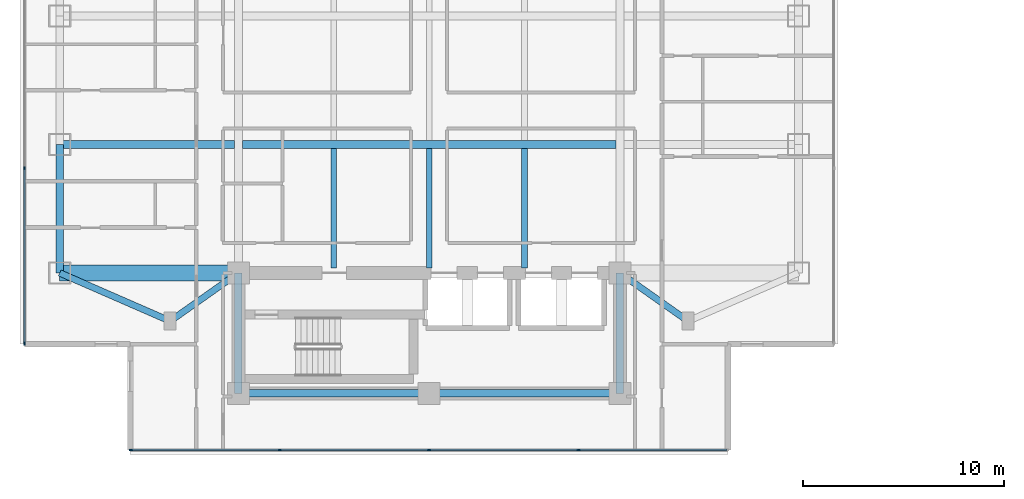
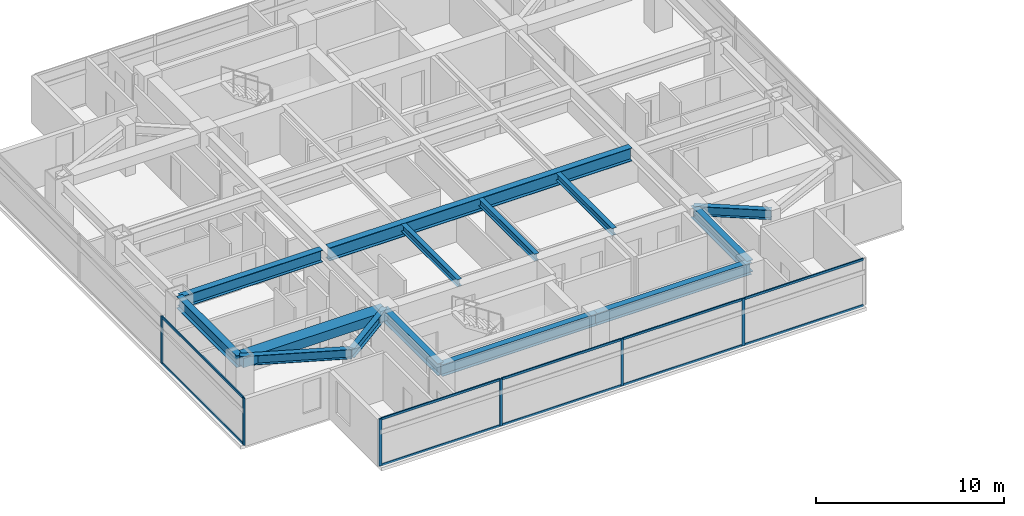
# One storey, part 2 of 26: 16 members, 14 beams, 2 elements without a shape of their own.
"""IFC4 building model written with IfcOpenShell, lengths in metres."""

import ifcopenshell
import ifcopenshell.guid

model = None  # the IFC model being written
_history = None  # IfcOwnerHistory: only IFC2X3 demands one
_inside = {}  # id of a spatial element -> (the spatial element, [elements in it])
_under = {}  # id of a project, library or spatial element -> (it, [spatial elements below it])
_declared = {}  # id of a project -> (the project, [libraries it declares])
_typed = {}  # id of a type object -> (the type object, [elements of that type])
_made_of = {}  # id of a material, layer set ... -> (it, [elements and type objects made of it])


def new_model(schema):
    """Start an empty IFC model of exactly this schema.

    Asked for "IFC4X3", IfcOpenShell would pick the latest addendum, in which some entities
    have other attributes; the version numbers below select the first issue.
    IFC2X3 requires an IfcOwnerHistory on every rooted entity: one is made here for all.
    """
    global model, _history
    if schema == "IFC4X3":
        model = ifcopenshell.file(schema_version=(4, 3, 0, 0))
    else:
        model = ifcopenshell.file(schema=schema)
    _inside.clear()
    _under.clear()
    _declared.clear()
    _typed.clear()
    _made_of.clear()
    _history = None
    if model.schema == "IFC2X3":
        org = make("IfcOrganization", Name="unknown")
        user = make(
            "IfcPersonAndOrganization",
            ThePerson=make("IfcPerson", FamilyName="unknown"),
            TheOrganization=org,
        )
        app = make(
            "IfcApplication",
            ApplicationDeveloper=org,
            Version="unknown",
            ApplicationFullName="unknown",
            ApplicationIdentifier="unknown",
        )
        _history = make(
            "IfcOwnerHistory",
            OwningUser=user,
            OwningApplication=app,
            ChangeAction="ADDED",
            CreationDate=0,
        )
    return model


def make(cls, **values):
    """One entity of the class cls with the attributes given. An attribute that is None is left unset."""
    return model.create_entity(
        cls, **{name: value for name, value in values.items() if value is not None}
    )


def rooted(cls, **values):
    """An entity with a GlobalId (a new one), such as an element, a storey or a relation."""
    return make(cls, GlobalId=ifcopenshell.guid.new(), OwnerHistory=_history, **values)


def si_unit(unit_type, name, prefix=None):
    """IfcSIUnit, for example si_unit("LENGTHUNIT", "METRE", prefix="MILLI")."""
    return make("IfcSIUnit", UnitType=unit_type, Prefix=prefix, Name=name)


def assignment(units):
    """IfcUnitAssignment: the units of a project."""
    return None if units is None else make("IfcUnitAssignment", Units=units)


def point(xyz):
    """IfcCartesianPoint."""
    return None if xyz is None else make("IfcCartesianPoint", Coordinates=xyz)


def direction(xyz):
    """IfcDirection."""
    return None if xyz is None else make("IfcDirection", DirectionRatios=xyz)


def frame(location, z_axis=None, x_axis=None):
    """IfcAxis2Placement3D, a coordinate frame: its origin and axes. An axis left out is left unset."""
    return make(
        "IfcAxis2Placement3D",
        Location=point(location),
        Axis=direction(z_axis),
        RefDirection=direction(x_axis),
    )


def frame_2d(location, x_axis=None):
    """IfcAxis2Placement2D, a coordinate frame in the plane: its origin and x axis."""
    return make(
        "IfcAxis2Placement2D", Location=point(location), RefDirection=direction(x_axis)
    )


def origin():
    """The frame at (0, 0, 0) with its axes left unset."""
    return frame((0.0, 0.0, 0.0))


def origin_2d():
    """The frame at (0, 0) in the plane with its x axis left unset."""
    return frame_2d((0.0, 0.0))


def place(relative_to, where):
    """IfcLocalPlacement: puts the frame where relative to a parent placement (None: the world)."""
    return make(
        "IfcLocalPlacement", PlacementRelTo=relative_to, RelativePlacement=where
    )


def context(
    kind, dimensions, precision=None, world=None, true_north=None, identifier=None
):
    """IfcGeometricRepresentationContext, for example the 3D "Model" context."""
    return make(
        "IfcGeometricRepresentationContext",
        ContextIdentifier=identifier,
        ContextType=kind,
        CoordinateSpaceDimension=dimensions,
        Precision=precision,
        WorldCoordinateSystem=world,
        TrueNorth=true_north,
    )


def subcontext(parent, identifier, kind, view, scale=None):
    """IfcGeometricRepresentationSubContext, for example "Body" below "Model"."""
    return make(
        "IfcGeometricRepresentationSubContext",
        ContextIdentifier=identifier,
        ContextType=kind,
        ParentContext=parent,
        TargetScale=scale,
        TargetView=view,
    )


def project(units=None, contexts=None):
    """IfcProject with its units and contexts."""
    return rooted(
        "IfcProject",
        Name="project",
        RepresentationContexts=contexts,
        UnitsInContext=assignment(units),
    )


def spatial(cls, under=None, at=None, **own):
    """A site, building, storey or space (cls), placed at a placement, below another one or the project."""
    s = rooted(cls, ObjectPlacement=at, **own)
    if under is not None:
        _under.setdefault(under.id(), (under, []))[1].append(s)
    return s


def profile(cls, at=None, kind="AREA", **sizes):
    """A parametric profile (cls). Its sizes go by their IFC names, for example OverallWidth=200.0."""
    return make(cls, ProfileType=kind, Position=at, **sizes)


def rectangle(**sizes):
    """IfcRectangleProfileDef."""
    return profile("IfcRectangleProfileDef", **sizes)


def i_section(**sizes):
    """IfcIShapeProfileDef."""
    return profile("IfcIShapeProfileDef", **sizes)


def extrude(swept, where, along, depth):
    """IfcExtrudedAreaSolid: the profile swept, set in the frame where, extruded along a direction by depth."""
    return make(
        "IfcExtrudedAreaSolid",
        SweptArea=swept,
        Position=where,
        ExtrudedDirection=direction(along),
        Depth=depth,
    )


def shape(context_of_items, identifier, shape_type, items):
    """IfcShapeRepresentation: the items that make up one representation, for example the "Body"."""
    return make(
        "IfcShapeRepresentation",
        ContextOfItems=context_of_items,
        RepresentationIdentifier=identifier,
        RepresentationType=shape_type,
        Items=items,
    )


def material(Name=None, Category=None):
    """IfcMaterial."""
    return make("IfcMaterial", Name=Name, Category=Category)


def material_profile(
    of_material, cross_section, Name=None, Category=None, Priority=None
):
    """IfcMaterialProfile: a cross section and its material."""
    return make(
        "IfcMaterialProfile",
        Name=Name,
        Material=of_material,
        Profile=cross_section,
        Priority=Priority,
        Category=Category,
    )


def profile_set(profiles, Name=None, composite=None):
    """IfcMaterialProfileSet."""
    return make(
        "IfcMaterialProfileSet",
        Name=Name,
        MaterialProfiles=profiles,
        CompositeProfile=composite,
    )


def made_of(thing, what):
    """Note that an element or type object is made of a material, layer set ...; save() writes the relation."""
    if what is not None:
        _made_of.setdefault(what.id(), (what, []))[1].append(thing)
    return thing


def type_object(cls, material=None, **own):
    """A type object (cls), such as IfcWallType, which elements share."""
    return made_of(rooted(cls, **own), material)


def element(
    cls,
    number,
    at=None,
    inside=None,
    cuts=None,
    type_object=None,
    material=None,
    context=None,
    identifier="Body",
    shape_type=None,
    held_by="IfcProductDefinitionShape",
    body=None,
    shapes=None,
    **own,
):
    """One element of the class cls, such as IfcWall. Its Tag is "e" and its number.

    at: its placement. inside: the storey or other place that contains it. cuts: it is an
    opening in that element (IfcRelVoidsElement). A single representation is given by context,
    identifier, shape_type and body (its items); several are given by shapes. held_by: the class
    of the entity that holds the representations. save() writes the other relations.
    """
    e = rooted(cls, Tag="e%d" % number, ObjectPlacement=at, **own)
    if body is not None:
        shapes = [shape(context, identifier, shape_type, body)]
    if shapes is not None:
        e.Representation = make(held_by, Representations=shapes)
    if inside is not None:
        _inside.setdefault(inside.id(), (inside, []))[1].append(e)
    if cuts is not None:
        rooted(
            "IfcRelVoidsElement", RelatingBuildingElement=cuts, RelatedOpeningElement=e
        )
    if type_object is not None:
        _typed.setdefault(type_object.id(), (type_object, []))[1].append(e)
    return made_of(e, material)


def aggregate(whole, parts):
    """IfcRelAggregates: a whole, such as a stair, and the parts it consists of."""
    return rooted("IfcRelAggregates", RelatingObject=whole, RelatedObjects=parts)


def save(model, path):
    """Write the relations noted so far, then the file.

    IfcRelAggregates (storeys below a building ...), IfcRelContainedInSpatialStructure (elements
    in a storey), IfcRelDefinesByType, IfcRelAssociatesMaterial and IfcRelDeclares: one each for
    every whole, place, type object, material and project.
    """
    for whole, parts in _under.values():
        aggregate(whole, parts)
    for where, things in _inside.values():
        rooted(
            "IfcRelContainedInSpatialStructure",
            RelatedElements=things,
            RelatingStructure=where,
        )
    for kind, things in _typed.values():
        rooted("IfcRelDefinesByType", RelatedObjects=things, RelatingType=kind)
    for what, things in _made_of.values():
        rooted("IfcRelAssociatesMaterial", RelatedObjects=things, RelatingMaterial=what)
    for by, libraries in _declared.values():
        rooted("IfcRelDeclares", RelatingContext=by, RelatedDefinitions=libraries)
    model.write(path)


model = new_model("IFC4")

# Units and contexts
model_context = context("Model", 3, precision=1e-05, world=origin(), true_north=direction((0.0, 1.0)))
body_context = subcontext(model_context, "Body", "Model", "MODEL_VIEW")
ifc_project = project(units=[si_unit("LENGTHUNIT", "METRE"), si_unit("AREAUNIT", "SQUARE_METRE"), si_unit("VOLUMEUNIT", "CUBIC_METRE"), si_unit("PLANEANGLEUNIT", "RADIAN"), si_unit("MASSUNIT", "GRAM", prefix="KILO")], contexts=[model_context])

# Site, building, storey
site_placement = place(None, origin())
site = spatial("IfcSite", under=ifc_project, at=site_placement, CompositionType="ELEMENT")
building_placement = place(site_placement, origin())
building = spatial("IfcBuilding", under=site, at=building_placement, Name="Mirazonda Arch Towers", CompositionType="ELEMENT")
storey_placement = place(building_placement, frame((0.0, 0.0, 121.39990234375)))
storey = spatial("IfcBuildingStorey", under=building, at=storey_placement, Name="L34", CompositionType="ELEMENT", Elevation=121.39990234375)

# Beams
ifc_material_1 = material(Name="Steel ASTM A992 Grade 50", Category="steel")
ifc_material_profile_1 = material_profile(ifc_material_1, i_section(OverallWidth=0.381103515625, OverallDepth=0.77294921875, WebThickness=0.0166015625, FlangeThickness=0.027099609375, at=origin_2d()), Name="W30X173")
ifc_profile_set_1 = profile_set([ifc_material_profile_1], Name="Steel ASTM A992 Grade 50")
beam_type_1 = type_object("IfcBeamType", Name="BM-EXT-W30X173", PredefinedType="USERDEFINED", material=ifc_profile_set_1)
beam_1_placement = place(storey_placement, frame((2.10009765625, 18.39990234375, 2.693603515625), z_axis=(0.0, 1.0, 0.0), x_axis=(-1.0, 0.0, 0.0)))
element("IfcBeam", 1, at=beam_1_placement, inside=storey, type_object=beam_type_1, Name="L34 Floor Beam BM-T1-L34-NS-W-18", ObjectType="GIRDER", PredefinedType="USERDEFINED", context=body_context, shape_type="SweptSolid", body=[
    extrude(i_section(OverallWidth=0.381103515625, OverallDepth=0.77294921875, WebThickness=0.0166015625, FlangeThickness=0.027099609375, at=origin_2d()), origin(), (0.0, 0.0, 1.0), 6.400146484375),
])
ifc_material_profile_2 = material_profile(ifc_material_1, i_section(OverallWidth=0.280029296875, OverallDepth=0.462890625, WebThickness=0.0107421875, FlangeThickness=0.017333984375, at=origin_2d()), Name="W18X76")
ifc_profile_set_2 = profile_set([ifc_material_profile_2], Name="Steel ASTM A992 Grade 50")
beam_type_2 = type_object("IfcBeamType", Name="BM-INT-W18X76", PredefinedType="JOIST", material=ifc_profile_set_2)
for number, where, z_axis, x_axis, name in (
    (2, (15.75, 18.639892578125, 2.8486328125), (0.0, 1.0, 0.0), (-1.0, 0.0, 0.0), "L34 Floor Beam BM-T1-L34-J-157-18"),
    (3, (20.5, 18.639892578125, 2.8486328125), (0.0, 1.0, 0.0), (-1.0, 0.0, 0.0), "L34 Floor Beam BM-T1-L34-J-205-18"),
    (4, (25.25, 18.639892578125, 2.8486328125), (0.0, 1.0, 0.0), (-1.0, 0.0, 0.0), "L34 Floor Beam BM-T1-L34-J-252-18"),
):
    element("IfcBeam", number, at=place(storey_placement, frame(where, z_axis=z_axis, x_axis=x_axis)), inside=storey, type_object=beam_type_2, Name=name, PredefinedType="JOIST", context=body_context, shape_type="SweptSolid", body=[
        extrude(i_section(OverallWidth=0.280029296875, OverallDepth=0.462890625, WebThickness=0.0107421875, FlangeThickness=0.017333984375, at=origin_2d()), origin(), (0.0, 0.0, 1.0), 5.964111328125),
    ])
ifc_material_profile_3 = material_profile(ifc_material_1, i_section(OverallWidth=0.324951171875, OverallDepth=0.615966796875, WebThickness=0.013916015625, FlangeThickness=0.021484375, at=origin_2d()), Name="W24X117")
ifc_profile_set_3 = profile_set([ifc_material_profile_3], Name="Steel ASTM A992 Grade 50")
beam_type_3 = type_object("IfcBeamType", Name="BM-INT-W24X117", PredefinedType="BEAM", material=ifc_profile_set_3)
beam_2_placement = place(storey_placement, frame((7.60009765625, 16.0, 2.772216796875), z_axis=(0.816971114901, 0.576678591087, 0.0), x_axis=(-0.576678591087, 0.816971114901, 0.0)))
element("IfcBeam", 5, at=beam_2_placement, inside=storey, type_object=beam_type_3, Name="L34 Floor Beam BM-T1-L34-PL-SW1", PredefinedType="BEAM", context=body_context, shape_type="SweptSolid", body=[
    extrude(i_section(OverallWidth=0.324951171875, OverallDepth=0.615966796875, WebThickness=0.013916015625, FlangeThickness=0.021484375, at=origin_2d()), origin(), (0.0, 0.0, 1.0), 4.16162109375),
])
beam_3_placement = place(storey_placement, frame((7.60009765625, 16.0, 2.772216796875), z_axis=(-0.916545343703, 0.399930785183, 0.0), x_axis=(-0.399930785183, -0.916545343703, 0.0)))
element("IfcBeam", 6, at=beam_3_placement, inside=storey, type_object=beam_type_3, Name="L34 Floor Beam BM-T1-L34-PL-SW2", PredefinedType="BEAM", context=body_context, shape_type="SweptSolid", body=[
    extrude(i_section(OverallWidth=0.324951171875, OverallDepth=0.615966796875, WebThickness=0.013916015625, FlangeThickness=0.021484375, at=origin_2d()), origin(), (0.0, 0.0, 1.0), 6.000732421875),
])
beam_4_placement = place(storey_placement, frame((33.39990234375, 16.0, 2.772216796875), z_axis=(-0.816971114901, 0.576678591087, 0.0), x_axis=(-0.576678591087, -0.816971114901, 0.0)))
element("IfcBeam", 7, at=beam_4_placement, inside=storey, type_object=beam_type_3, Name="L34 Floor Beam BM-T1-L34-PL-SE1", PredefinedType="BEAM", context=body_context, shape_type="SweptSolid", body=[
    extrude(i_section(OverallWidth=0.324951171875, OverallDepth=0.615966796875, WebThickness=0.013916015625, FlangeThickness=0.021484375, at=origin_2d()), origin(), (0.0, 0.0, 1.0), 4.16162109375),
])
ifc_material_profile_4 = material_profile(ifc_material_1, i_section(OverallWidth=0.381103515625, OverallDepth=0.77294921875, WebThickness=0.0166015625, FlangeThickness=0.027099609375, at=origin_2d()), Name="W30X173")
ifc_profile_set_4 = profile_set([ifc_material_profile_4], Name="Steel ASTM A992 Grade 50")
beam_type_4 = type_object("IfcBeamType", Name="BM-INT-W30X173", PredefinedType="USERDEFINED", material=ifc_profile_set_4)
beam_5_placement = place(storey_placement, frame((2.10009765625, 24.800048828125, 2.693603515625), z_axis=(1.0, 0.0, 0.0), x_axis=(0.0, 1.0, 0.0)))
element("IfcBeam", 8, at=beam_5_placement, inside=storey, type_object=beam_type_4, Name="L34 Floor Beam BM-T1-L34-GW2", ObjectType="GIRDER", PredefinedType="USERDEFINED", context=body_context, shape_type="SweptSolid", body=[
    extrude(i_section(OverallWidth=0.381103515625, OverallDepth=0.77294921875, WebThickness=0.0166015625, FlangeThickness=0.027099609375, at=origin_2d()), origin(), (0.0, 0.0, 1.0), 8.699951171875),
])
for number, where, z_axis, x_axis, name in (
    (9, (11.0, 12.39990234375, 2.693603515625), (1.0, 0.0, 0.0), (0.0, 1.0, 0.0), "L34 Floor Beam BM-T1-L34-CS1"),
    (10, (20.5, 12.39990234375, 2.693603515625), (1.0, 0.0, 0.0), (0.0, 1.0, 0.0), "L34 Floor Beam BM-T1-L34-CS2"),
):
    element("IfcBeam", number, at=place(storey_placement, frame(where, z_axis=z_axis, x_axis=x_axis)), inside=storey, type_object=beam_type_4, Name=name, ObjectType="GIRDER", PredefinedType="USERDEFINED", context=body_context, shape_type="SweptSolid", body=[
        extrude(i_section(OverallWidth=0.381103515625, OverallDepth=0.77294921875, WebThickness=0.0166015625, FlangeThickness=0.027099609375, at=origin_2d()), origin(), (0.0, 0.0, 1.0), 9.5),
    ])
for number, where, z_axis, x_axis, name in (
    (11, (11.0, 12.39990234375, 2.693603515625), (0.0, 1.0, 0.0), (-1.0, 0.0, 0.0), "L34 Floor Beam BM-T1-L34-CSW"),
    (12, (30.0, 12.39990234375, 2.693603515625), (0.0, 1.0, 0.0), (-1.0, 0.0, 0.0), "L34 Floor Beam BM-T1-L34-CSE"),
):
    element("IfcBeam", number, at=place(storey_placement, frame(where, z_axis=z_axis, x_axis=x_axis)), inside=storey, type_object=beam_type_4, Name=name, ObjectType="GIRDER", PredefinedType="USERDEFINED", context=body_context, shape_type="SweptSolid", body=[
        extrude(i_section(OverallWidth=0.381103515625, OverallDepth=0.77294921875, WebThickness=0.0166015625, FlangeThickness=0.027099609375, at=origin_2d()), origin(), (0.0, 0.0, 1.0), 6.0),
    ])
ifc_material_profile_5 = material_profile(ifc_material_1, i_section(OverallWidth=0.39990234375, OverallDepth=0.85595703125, WebThickness=0.018310546875, FlangeThickness=0.029296875, at=origin_2d()), Name="W33X201")
ifc_profile_set_5 = profile_set([ifc_material_profile_5], Name="Steel ASTM A992 Grade 50")
beam_type_5 = type_object("IfcBeamType", Name="BM-INT-W33X201", PredefinedType="USERDEFINED", material=ifc_profile_set_5)
beam_6_placement = place(storey_placement, frame((11.199951171875, 24.800048828125, 2.652099609375), z_axis=(1.0, 0.0, 0.0), x_axis=(0.0, 1.0, 0.0)))
element("IfcBeam", 13, at=beam_6_placement, inside=storey, type_object=beam_type_5, Name="L34 Floor Beam BM-T1-L34-GC2", ObjectType="GIRDER", PredefinedType="USERDEFINED", context=body_context, shape_type="SweptSolid", body=[
    extrude(i_section(OverallWidth=0.39990234375, OverallDepth=0.85595703125, WebThickness=0.018310546875, FlangeThickness=0.029296875, at=origin_2d()), origin(), (0.0, 0.0, 1.0), 18.60009765625),
])
ifc_material_2 = material(Name="Concrete C60/75", Category="concrete")
ifc_material_profile_6 = material_profile(ifc_material_2, rectangle(XDim=0.800048828125, YDim=0.60009765625, at=origin_2d()), Name="RCCB800x600")
ifc_profile_set_6 = profile_set([ifc_material_profile_6], Name="Concrete C60/75")
beam_type_6 = type_object("IfcBeamType", Name="CB-INT-RCCB800x600", PredefinedType="SPANDREL", material=ifc_profile_set_6)
beam_7_placement = place(storey_placement, frame((2.10009765625, 18.39990234375, 2.780029296875), z_axis=(1.0, 0.0, 0.0), x_axis=(0.0, 1.0, 0.0)))
element("IfcBeam", 14, at=beam_7_placement, inside=storey, type_object=beam_type_6, Name="L34 Floor Beam CBC-T1-L34-SW", PredefinedType="SPANDREL", context=body_context, shape_type="SweptSolid", body=[
    extrude(rectangle(XDim=0.800048828125, YDim=0.60009765625, at=origin_2d()), origin(), (0.0, 0.0, 1.0), 8.89990234375),
])

# Curtain wall, members
ifc_material_3 = material(Name="Anodised Aluminium and Low-E Glass", Category="aluminium")
curtain_wall_type = type_object("IfcCurtainWallType", Name="CW-HTL-UNIT", PredefinedType="NOTDEFINED", material=ifc_material_3)
curtain_wall_1_placement = place(storey_placement, origin())
curtain_wall_1 = element("IfcCurtainWall", 15, at=curtain_wall_1_placement, inside=storey, type_object=curtain_wall_type, Name="L34 T1 S Facade CW-L34-T1-S", PredefinedType="NOTDEFINED")
ifc_material_4 = material(Name="Anodised Aluminium Alloy", Category="aluminium")
ifc_material_profile_7 = material_profile(ifc_material_4, rectangle(XDim=0.074951171875, YDim=0.1650390625, at=origin_2d()), Name="ALU-MULL-75x165")
ifc_profile_set_7 = profile_set([ifc_material_profile_7], Name="Anodised Aluminium Alloy")
member_type_1 = type_object("IfcMemberType", Name="MULL-CW-HTL-UNIT", PredefinedType="MULLION", material=ifc_profile_set_7)
member_1_placement = place(storey_placement, frame((27.945068359375, 9.58203125, 0.0), z_axis=(0.0, 0.0, 1.0), x_axis=(0.0, -1.0, 0.0)))
member_1 = element("IfcMember", 16, at=member_1_placement, type_object=member_type_1, Name="CW-112 mullion 2", PredefinedType="MULLION", context=body_context, shape_type="SweptSolid", body=[
    extrude(rectangle(XDim=0.074951171875, YDim=0.1650390625, at=origin_2d()), origin(), (0.0, 0.0, 1.0), 3.06005859375),
])
member_2_placement = place(storey_placement, frame((20.5, 9.58203125, 0.0), z_axis=(0.0, 0.0, 1.0), x_axis=(0.0, -1.0, 0.0)))
member_2 = element("IfcMember", 17, at=member_2_placement, type_object=member_type_1, Name="CW-112 mullion 3", PredefinedType="MULLION", context=body_context, shape_type="SweptSolid", body=[
    extrude(rectangle(XDim=0.074951171875, YDim=0.1650390625, at=origin_2d()), origin(), (0.0, 0.0, 1.0), 3.06005859375),
])
member_3_placement = place(storey_placement, frame((13.054931640625, 9.58203125, 0.0), z_axis=(0.0, 0.0, 1.0), x_axis=(0.0, -1.0, 0.0)))
member_3 = element("IfcMember", 18, at=member_3_placement, type_object=member_type_1, Name="CW-112 mullion 4", PredefinedType="MULLION", context=body_context, shape_type="SweptSolid", body=[
    extrude(rectangle(XDim=0.074951171875, YDim=0.1650390625, at=origin_2d()), origin(), (0.0, 0.0, 1.0), 3.06005859375),
])
member_4_placement = place(storey_placement, frame((5.6474609375, 9.58203125, 0.0), z_axis=(0.0, 0.0, 1.0), x_axis=(0.0, -1.0, 0.0)))
member_4 = element("IfcMember", 19, at=member_4_placement, type_object=member_type_1, Name="CW-112 mullion 5", PredefinedType="MULLION", context=body_context, shape_type="SweptSolid", body=[
    extrude(rectangle(XDim=0.074951171875, YDim=0.1650390625, at=origin_2d()), origin(), (0.0, 0.0, 1.0), 3.06005859375),
])

curtain_wall_2_placement = place(storey_placement, origin())
curtain_wall_2 = element("IfcCurtainWall", 20, at=curtain_wall_2_placement, inside=storey, type_object=curtain_wall_type, Name="L34 T1 W Facade CW-L34-T1-W", PredefinedType="NOTDEFINED")
member_5_placement = place(storey_placement, frame((0.340087890625, 23.617431640625, 0.0), z_axis=(0.0, 0.0, 1.0), x_axis=(1.0, 0.0, 0.0)))
member_5 = element("IfcMember", 21, at=member_5_placement, type_object=member_type_1, Name="CW-112 mullion 3", PredefinedType="MULLION", context=body_context, shape_type="SweptSolid", body=[
    extrude(rectangle(XDim=0.074951171875, YDim=0.1650390625, at=origin_2d()), origin(), (0.0, 0.0, 1.0), 3.06005859375),
])
member_6_placement = place(storey_placement, frame((0.340087890625, 14.889404296875, 0.0), z_axis=(0.0, 0.0, 1.0), x_axis=(1.0, 0.0, 0.0)))
member_6 = element("IfcMember", 22, at=member_6_placement, type_object=member_type_1, Name="CW-112 mullion 4", PredefinedType="MULLION", context=body_context, shape_type="SweptSolid", body=[
    extrude(rectangle(XDim=0.074951171875, YDim=0.1650390625, at=origin_2d()), origin(), (0.0, 0.0, 1.0), 3.06005859375),
])

# Member
ifc_material_profile_8 = material_profile(ifc_material_4, rectangle(XDim=0.074951171875, YDim=0.14501953125, at=origin_2d()), Name="ALU-TRAN-75x145")
ifc_profile_set_8 = profile_set([ifc_material_profile_8], Name="Anodised Aluminium Alloy")
member_type_2 = type_object("IfcMemberType", Name="TRAN-CW-HTL-UNIT", PredefinedType="USERDEFINED", material=ifc_profile_set_8)
member_7_placement = place(storey_placement, frame((35.31494140625, 9.58203125, 0.03759765625), z_axis=(-1.0, 0.0, 0.0), x_axis=(0.0, -1.0, 0.0)))
member_7 = element("IfcMember", 23, at=member_7_placement, type_object=member_type_2, Name="CW-112 transom 1.1", ObjectType="TRANSOM", PredefinedType="USERDEFINED", context=body_context, shape_type="SweptSolid", body=[
    extrude(rectangle(XDim=0.074951171875, YDim=0.14501953125, at=origin_2d()), origin(), (0.0, 0.0, 1.0), 7.33251953125),
])

member_8_placement = place(storey_placement, frame((35.31494140625, 9.58203125, 3.022705078125), z_axis=(-1.0, 0.0, 0.0), x_axis=(0.0, -1.0, 0.0)))
member_8 = element("IfcMember", 24, at=member_8_placement, type_object=member_type_2, Name="CW-112 transom 1.2", ObjectType="TRANSOM", PredefinedType="USERDEFINED", context=body_context, shape_type="SweptSolid", body=[
    extrude(rectangle(XDim=0.074951171875, YDim=0.14501953125, at=origin_2d()), origin(), (0.0, 0.0, 1.0), 7.33251953125),
])

member_9_placement = place(storey_placement, frame((27.907470703125, 9.58203125, 0.03759765625), z_axis=(-1.0, 0.0, 0.0), x_axis=(0.0, -1.0, 0.0)))
member_9 = element("IfcMember", 25, at=member_9_placement, type_object=member_type_2, Name="CW-112 transom 2.1", ObjectType="TRANSOM", PredefinedType="USERDEFINED", context=body_context, shape_type="SweptSolid", body=[
    extrude(rectangle(XDim=0.074951171875, YDim=0.14501953125, at=origin_2d()), origin(), (0.0, 0.0, 1.0), 7.369873046875),
])

member_10_placement = place(storey_placement, frame((27.907470703125, 9.58203125, 3.022705078125), z_axis=(-1.0, 0.0, 0.0), x_axis=(0.0, -1.0, 0.0)))
member_10 = element("IfcMember", 26, at=member_10_placement, type_object=member_type_2, Name="CW-112 transom 2.2", ObjectType="TRANSOM", PredefinedType="USERDEFINED", context=body_context, shape_type="SweptSolid", body=[
    extrude(rectangle(XDim=0.074951171875, YDim=0.14501953125, at=origin_2d()), origin(), (0.0, 0.0, 1.0), 7.369873046875),
])

member_11_placement = place(storey_placement, frame((20.46240234375, 9.58203125, 0.03759765625), z_axis=(-1.0, 0.0, 0.0), x_axis=(0.0, -1.0, 0.0)))
member_11 = element("IfcMember", 27, at=member_11_placement, type_object=member_type_2, Name="CW-112 transom 3.1", ObjectType="TRANSOM", PredefinedType="USERDEFINED", context=body_context, shape_type="SweptSolid", body=[
    extrude(rectangle(XDim=0.074951171875, YDim=0.14501953125, at=origin_2d()), origin(), (0.0, 0.0, 1.0), 7.369873046875),
])

member_12_placement = place(storey_placement, frame((20.46240234375, 9.58203125, 3.022705078125), z_axis=(-1.0, 0.0, 0.0), x_axis=(0.0, -1.0, 0.0)))
member_12 = element("IfcMember", 28, at=member_12_placement, type_object=member_type_2, Name="CW-112 transom 3.2", ObjectType="TRANSOM", PredefinedType="USERDEFINED", context=body_context, shape_type="SweptSolid", body=[
    extrude(rectangle(XDim=0.074951171875, YDim=0.14501953125, at=origin_2d()), origin(), (0.0, 0.0, 1.0), 7.369873046875),
])

member_13_placement = place(storey_placement, frame((13.017578125, 9.58203125, 0.03759765625), z_axis=(-1.0, 0.0, 0.0), x_axis=(0.0, -1.0, 0.0)))
member_13 = element("IfcMember", 29, at=member_13_placement, type_object=member_type_2, Name="CW-112 transom 4.1", ObjectType="TRANSOM", PredefinedType="USERDEFINED", context=body_context, shape_type="SweptSolid", body=[
    extrude(rectangle(XDim=0.074951171875, YDim=0.14501953125, at=origin_2d()), origin(), (0.0, 0.0, 1.0), 7.33251953125),
])

member_14_placement = place(storey_placement, frame((13.017578125, 9.58203125, 3.022705078125), z_axis=(-1.0, 0.0, 0.0), x_axis=(0.0, -1.0, 0.0)))
member_14 = element("IfcMember", 30, at=member_14_placement, type_object=member_type_2, Name="CW-112 transom 4.2", ObjectType="TRANSOM", PredefinedType="USERDEFINED", context=body_context, shape_type="SweptSolid", body=[
    extrude(rectangle(XDim=0.074951171875, YDim=0.14501953125, at=origin_2d()), origin(), (0.0, 0.0, 1.0), 7.33251953125),
])

aggregate(curtain_wall_1, [member_1, member_2, member_3, member_4, member_7, member_8, member_9, member_10, member_11, member_12, member_13, member_14])

member_15_placement = place(storey_placement, frame((0.340087890625, 23.579833984375, 0.03759765625), z_axis=(0.0, -1.0, 0.0), x_axis=(1.0, 0.0, 0.0)))
member_15 = element("IfcMember", 31, at=member_15_placement, type_object=member_type_2, Name="CW-112 transom 3.1", ObjectType="TRANSOM", PredefinedType="USERDEFINED", context=body_context, shape_type="SweptSolid", body=[
    extrude(rectangle(XDim=0.074951171875, YDim=0.14501953125, at=origin_2d()), origin(), (0.0, 0.0, 1.0), 8.65283203125),
])

member_16_placement = place(storey_placement, frame((0.340087890625, 23.579833984375, 3.022705078125), z_axis=(0.0, -1.0, 0.0), x_axis=(1.0, 0.0, 0.0)))
member_16 = element("IfcMember", 32, at=member_16_placement, type_object=member_type_2, Name="CW-112 transom 3.2", ObjectType="TRANSOM", PredefinedType="USERDEFINED", context=body_context, shape_type="SweptSolid", body=[
    extrude(rectangle(XDim=0.074951171875, YDim=0.14501953125, at=origin_2d()), origin(), (0.0, 0.0, 1.0), 8.65283203125),
])

aggregate(curtain_wall_2, [member_5, member_6, member_15, member_16])

save(model, "model.ifc")
